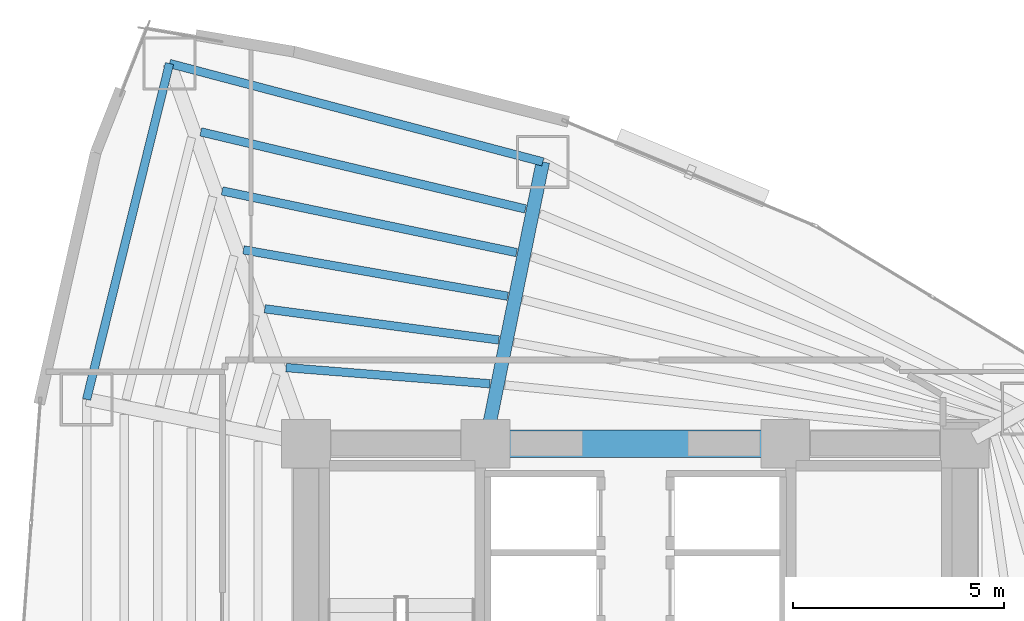
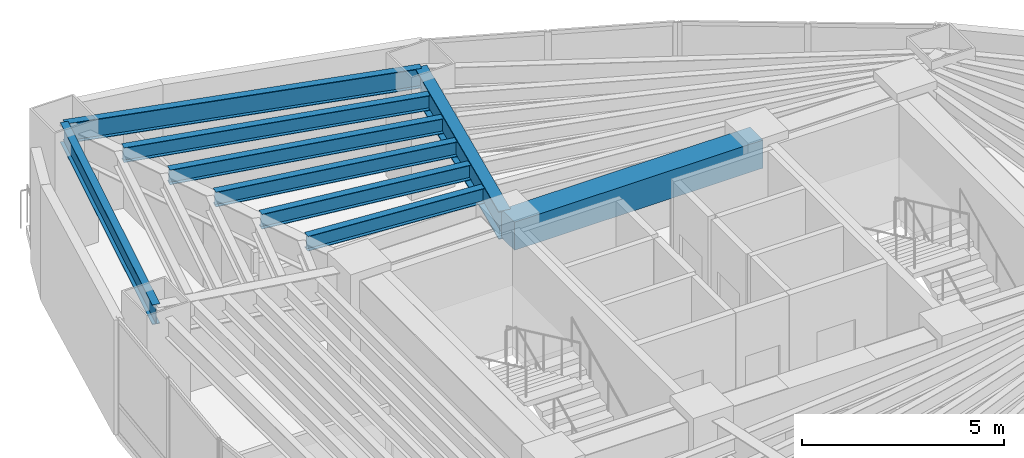
# One storey, part 8 of 16: 9 beams.
"""IFC4 building model written with IfcOpenShell, lengths in metres."""

import ifcopenshell
import ifcopenshell.guid

model = None  # the IFC model being written
_history = None  # IfcOwnerHistory: only IFC2X3 demands one
_inside = {}  # id of a spatial element -> (the spatial element, [elements in it])
_under = {}  # id of a project, library or spatial element -> (it, [spatial elements below it])
_declared = {}  # id of a project -> (the project, [libraries it declares])
_typed = {}  # id of a type object -> (the type object, [elements of that type])
_made_of = {}  # id of a material, layer set ... -> (it, [elements and type objects made of it])


def new_model(schema):
    """Start an empty IFC model of exactly this schema.

    Asked for "IFC4X3", IfcOpenShell would pick the latest addendum, in which some entities
    have other attributes; the version numbers below select the first issue.
    IFC2X3 requires an IfcOwnerHistory on every rooted entity: one is made here for all.
    """
    global model, _history
    if schema == "IFC4X3":
        model = ifcopenshell.file(schema_version=(4, 3, 0, 0))
    else:
        model = ifcopenshell.file(schema=schema)
    _inside.clear()
    _under.clear()
    _declared.clear()
    _typed.clear()
    _made_of.clear()
    _history = None
    if model.schema == "IFC2X3":
        org = make("IfcOrganization", Name="unknown")
        user = make(
            "IfcPersonAndOrganization",
            ThePerson=make("IfcPerson", FamilyName="unknown"),
            TheOrganization=org,
        )
        app = make(
            "IfcApplication",
            ApplicationDeveloper=org,
            Version="unknown",
            ApplicationFullName="unknown",
            ApplicationIdentifier="unknown",
        )
        _history = make(
            "IfcOwnerHistory",
            OwningUser=user,
            OwningApplication=app,
            ChangeAction="ADDED",
            CreationDate=0,
        )
    return model


def make(cls, **values):
    """One entity of the class cls with the attributes given. An attribute that is None is left unset."""
    return model.create_entity(
        cls, **{name: value for name, value in values.items() if value is not None}
    )


def rooted(cls, **values):
    """An entity with a GlobalId (a new one), such as an element, a storey or a relation."""
    return make(cls, GlobalId=ifcopenshell.guid.new(), OwnerHistory=_history, **values)


def si_unit(unit_type, name, prefix=None):
    """IfcSIUnit, for example si_unit("LENGTHUNIT", "METRE", prefix="MILLI")."""
    return make("IfcSIUnit", UnitType=unit_type, Prefix=prefix, Name=name)


def assignment(units):
    """IfcUnitAssignment: the units of a project."""
    return None if units is None else make("IfcUnitAssignment", Units=units)


def point(xyz):
    """IfcCartesianPoint."""
    return None if xyz is None else make("IfcCartesianPoint", Coordinates=xyz)


def direction(xyz):
    """IfcDirection."""
    return None if xyz is None else make("IfcDirection", DirectionRatios=xyz)


def frame(location, z_axis=None, x_axis=None):
    """IfcAxis2Placement3D, a coordinate frame: its origin and axes. An axis left out is left unset."""
    return make(
        "IfcAxis2Placement3D",
        Location=point(location),
        Axis=direction(z_axis),
        RefDirection=direction(x_axis),
    )


def frame_2d(location, x_axis=None):
    """IfcAxis2Placement2D, a coordinate frame in the plane: its origin and x axis."""
    return make(
        "IfcAxis2Placement2D", Location=point(location), RefDirection=direction(x_axis)
    )


def origin():
    """The frame at (0, 0, 0) with its axes left unset."""
    return frame((0.0, 0.0, 0.0))


def origin_2d():
    """The frame at (0, 0) in the plane with its x axis left unset."""
    return frame_2d((0.0, 0.0))


def place(relative_to, where):
    """IfcLocalPlacement: puts the frame where relative to a parent placement (None: the world)."""
    return make(
        "IfcLocalPlacement", PlacementRelTo=relative_to, RelativePlacement=where
    )


def context(
    kind, dimensions, precision=None, world=None, true_north=None, identifier=None
):
    """IfcGeometricRepresentationContext, for example the 3D "Model" context."""
    return make(
        "IfcGeometricRepresentationContext",
        ContextIdentifier=identifier,
        ContextType=kind,
        CoordinateSpaceDimension=dimensions,
        Precision=precision,
        WorldCoordinateSystem=world,
        TrueNorth=true_north,
    )


def subcontext(parent, identifier, kind, view, scale=None):
    """IfcGeometricRepresentationSubContext, for example "Body" below "Model"."""
    return make(
        "IfcGeometricRepresentationSubContext",
        ContextIdentifier=identifier,
        ContextType=kind,
        ParentContext=parent,
        TargetScale=scale,
        TargetView=view,
    )


def project(units=None, contexts=None):
    """IfcProject with its units and contexts."""
    return rooted(
        "IfcProject",
        Name="project",
        RepresentationContexts=contexts,
        UnitsInContext=assignment(units),
    )


def spatial(cls, under=None, at=None, **own):
    """A site, building, storey or space (cls), placed at a placement, below another one or the project."""
    s = rooted(cls, ObjectPlacement=at, **own)
    if under is not None:
        _under.setdefault(under.id(), (under, []))[1].append(s)
    return s


def profile(cls, at=None, kind="AREA", **sizes):
    """A parametric profile (cls). Its sizes go by their IFC names, for example OverallWidth=200.0."""
    return make(cls, ProfileType=kind, Position=at, **sizes)


def rectangle(**sizes):
    """IfcRectangleProfileDef."""
    return profile("IfcRectangleProfileDef", **sizes)


def i_section(**sizes):
    """IfcIShapeProfileDef."""
    return profile("IfcIShapeProfileDef", **sizes)


def extrude(swept, where, along, depth):
    """IfcExtrudedAreaSolid: the profile swept, set in the frame where, extruded along a direction by depth."""
    return make(
        "IfcExtrudedAreaSolid",
        SweptArea=swept,
        Position=where,
        ExtrudedDirection=direction(along),
        Depth=depth,
    )


def shape(context_of_items, identifier, shape_type, items):
    """IfcShapeRepresentation: the items that make up one representation, for example the "Body"."""
    return make(
        "IfcShapeRepresentation",
        ContextOfItems=context_of_items,
        RepresentationIdentifier=identifier,
        RepresentationType=shape_type,
        Items=items,
    )


def material(Name=None, Category=None):
    """IfcMaterial."""
    return make("IfcMaterial", Name=Name, Category=Category)


def material_profile(
    of_material, cross_section, Name=None, Category=None, Priority=None
):
    """IfcMaterialProfile: a cross section and its material."""
    return make(
        "IfcMaterialProfile",
        Name=Name,
        Material=of_material,
        Profile=cross_section,
        Priority=Priority,
        Category=Category,
    )


def profile_set(profiles, Name=None, composite=None):
    """IfcMaterialProfileSet."""
    return make(
        "IfcMaterialProfileSet",
        Name=Name,
        MaterialProfiles=profiles,
        CompositeProfile=composite,
    )


def made_of(thing, what):
    """Note that an element or type object is made of a material, layer set ...; save() writes the relation."""
    if what is not None:
        _made_of.setdefault(what.id(), (what, []))[1].append(thing)
    return thing


def type_object(cls, material=None, **own):
    """A type object (cls), such as IfcWallType, which elements share."""
    return made_of(rooted(cls, **own), material)


def element(
    cls,
    number,
    at=None,
    inside=None,
    cuts=None,
    type_object=None,
    material=None,
    context=None,
    identifier="Body",
    shape_type=None,
    held_by="IfcProductDefinitionShape",
    body=None,
    shapes=None,
    **own,
):
    """One element of the class cls, such as IfcWall. Its Tag is "e" and its number.

    at: its placement. inside: the storey or other place that contains it. cuts: it is an
    opening in that element (IfcRelVoidsElement). A single representation is given by context,
    identifier, shape_type and body (its items); several are given by shapes. held_by: the class
    of the entity that holds the representations. save() writes the other relations.
    """
    e = rooted(cls, Tag="e%d" % number, ObjectPlacement=at, **own)
    if body is not None:
        shapes = [shape(context, identifier, shape_type, body)]
    if shapes is not None:
        e.Representation = make(held_by, Representations=shapes)
    if inside is not None:
        _inside.setdefault(inside.id(), (inside, []))[1].append(e)
    if cuts is not None:
        rooted(
            "IfcRelVoidsElement", RelatingBuildingElement=cuts, RelatedOpeningElement=e
        )
    if type_object is not None:
        _typed.setdefault(type_object.id(), (type_object, []))[1].append(e)
    return made_of(e, material)


def aggregate(whole, parts):
    """IfcRelAggregates: a whole, such as a stair, and the parts it consists of."""
    return rooted("IfcRelAggregates", RelatingObject=whole, RelatedObjects=parts)


def save(model, path):
    """Write the relations noted so far, then the file.

    IfcRelAggregates (storeys below a building ...), IfcRelContainedInSpatialStructure (elements
    in a storey), IfcRelDefinesByType, IfcRelAssociatesMaterial and IfcRelDeclares: one each for
    every whole, place, type object, material and project.
    """
    for whole, parts in _under.values():
        aggregate(whole, parts)
    for where, things in _inside.values():
        rooted(
            "IfcRelContainedInSpatialStructure",
            RelatedElements=things,
            RelatingStructure=where,
        )
    for kind, things in _typed.values():
        rooted("IfcRelDefinesByType", RelatedObjects=things, RelatingType=kind)
    for what, things in _made_of.values():
        rooted("IfcRelAssociatesMaterial", RelatedObjects=things, RelatingMaterial=what)
    for by, libraries in _declared.values():
        rooted("IfcRelDeclares", RelatingContext=by, RelatedDefinitions=libraries)
    model.write(path)


model = new_model("IFC4")

# Units and contexts
model_context = context("Model", 3, precision=1e-05, world=origin(), true_north=direction((0.0, 1.0)))
body_context = subcontext(model_context, "Body", "Model", "MODEL_VIEW")
ifc_project = project(units=[si_unit("LENGTHUNIT", "METRE"), si_unit("AREAUNIT", "SQUARE_METRE"), si_unit("VOLUMEUNIT", "CUBIC_METRE"), si_unit("PLANEANGLEUNIT", "RADIAN"), si_unit("MASSUNIT", "GRAM", prefix="KILO")], contexts=[model_context])

# Site, building, storey
site_placement = place(None, origin())
site = spatial("IfcSite", under=ifc_project, at=site_placement, CompositionType="ELEMENT")
building_placement = place(site_placement, origin())
building = spatial("IfcBuilding", under=site, at=building_placement, Name="Menara Vayukalpa", CompositionType="ELEMENT")
storey_placement = place(building_placement, frame((0.0, 0.0, 75.9599609375)))
storey = spatial("IfcBuildingStorey", under=building, at=storey_placement, Name="L18", CompositionType="ELEMENT", Elevation=75.9599609375)

# Beams
ifc_material_1 = material(Name="Concrete C60/75", Category="concrete")
ifc_material_profile_1 = material_profile(ifc_material_1, rectangle(XDim=0.64990234375, YDim=0.85009765625, at=origin_2d()), Name="RC 650x850")
ifc_profile_set_1 = profile_set([ifc_material_profile_1], Name="Concrete C60/75")
beam_type_1 = type_object("IfcBeamType", Name="BM-CB1", PredefinedType="BEAM", material=ifc_profile_set_1)
beam_1_placement = place(storey_placement, frame((22.050048828125, 26.800048828125, 3.044921875), z_axis=(1.0, 0.0, 0.0), x_axis=(0.0, 1.0, 0.0)))
element("IfcBeam", 1, at=beam_1_placement, inside=storey, type_object=beam_type_1, Name="L18 Core Tie Beam CBR5", PredefinedType="BEAM", context=body_context, shape_type="SweptSolid", body=[
    extrude(rectangle(XDim=0.64990234375, YDim=0.85009765625, at=origin_2d()), origin(), (0.0, 0.0, 1.0), 7.099853515625),
])
ifc_material_2 = material(Name="Steel S355", Category="steel")
ifc_material_profile_2 = material_profile(ifc_material_2, i_section(OverallWidth=0.320068359375, OverallDepth=0.85009765625, WebThickness=0.01611328125, FlangeThickness=0.030029296875, at=origin_2d()), Name="WF 850x320x16x30")
ifc_profile_set_2 = profile_set([ifc_material_profile_2], Name="Steel S355")
beam_type_2 = type_object("IfcBeamType", Name="BM-PG2", PredefinedType="BEAM", material=ifc_profile_set_2)
beam_2_placement = place(storey_placement, frame((22.099853515625, 27.044921875, 3.044921875), z_axis=(0.199617728418, 0.9798738503, 0.0), x_axis=(-0.9798738503, 0.199617728418, 0.0)))
element("IfcBeam", 2, at=beam_2_placement, inside=storey, type_object=beam_type_2, Name="L18 Primary Radial Girder RG03", PredefinedType="BEAM", context=body_context, shape_type="SweptSolid", body=[
    extrude(i_section(OverallWidth=0.320068359375, OverallDepth=0.85009765625, WebThickness=0.01611328125, FlangeThickness=0.030029296875, at=origin_2d()), origin(), (0.0, 0.0, 1.0), 6.55419921875),
])
ifc_material_3 = material(Name="Steel S355", Category="steel")
ifc_material_profile_3 = material_profile(ifc_material_3, i_section(OverallWidth=0.199951171875, OverallDepth=0.449951171875, WebThickness=0.009033203125, FlangeThickness=0.013916015625, at=origin_2d()), Name="WF 450x200x9x14")
ifc_profile_set_3 = profile_set([ifc_material_profile_3], Name="Steel S355")
beam_type_3 = type_object("IfcBeamType", Name="BM-SJ1", PredefinedType="JOIST", material=ifc_profile_set_3)
beam_3_placement = place(storey_placement, frame((22.156005859375, 28.21533203125, 3.2451171875), z_axis=(-0.996870502758, 0.079051886326, 0.0), x_axis=(-0.079051886326, -0.996870502758, 0.0)))
element("IfcBeam", 3, at=beam_3_placement, inside=storey, type_object=beam_type_3, Name="L18 Secondary Floor Joist SJ03-1", PredefinedType="JOIST", context=body_context, shape_type="SweptSolid", body=[
    extrude(i_section(OverallWidth=0.199951171875, OverallDepth=0.449951171875, WebThickness=0.009033203125, FlangeThickness=0.013916015625, at=origin_2d()), origin(), (0.0, 0.0, 1.0), 4.842529296875),
])
beam_4_placement = place(storey_placement, frame((22.3662109375, 29.25244140625, 3.2451171875), z_axis=(-0.991248863782, 0.132006401551, 0.0), x_axis=(-0.132006401551, -0.991248863782, 0.0)))
element("IfcBeam", 4, at=beam_4_placement, inside=storey, type_object=beam_type_3, Name="L18 Secondary Floor Joist SJ03-2", PredefinedType="JOIST", context=body_context, shape_type="SweptSolid", body=[
    extrude(i_section(OverallWidth=0.199951171875, OverallDepth=0.449951171875, WebThickness=0.009033203125, FlangeThickness=0.013916015625, at=origin_2d()), origin(), (0.0, 0.0, 1.0), 5.5908203125),
])
beam_5_placement = place(storey_placement, frame((22.576904296875, 30.287353515625, 3.2451171875), z_axis=(-0.984953696719, 0.172818446123, 0.0), x_axis=(-0.172818446123, -0.984953696719, 0.0)))
element("IfcBeam", 5, at=beam_5_placement, inside=storey, type_object=beam_type_3, Name="L18 Secondary Floor Joist SJ03-3", PredefinedType="JOIST", context=body_context, shape_type="SweptSolid", body=[
    extrude(i_section(OverallWidth=0.199951171875, OverallDepth=0.449951171875, WebThickness=0.009033203125, FlangeThickness=0.013916015625, at=origin_2d()), origin(), (0.0, 0.0, 1.0), 6.35302734375),
])
beam_6_placement = place(storey_placement, frame((22.787109375, 31.32080078125, 3.2451171875), z_axis=(-0.978749690575, 0.205058633565, 0.0), x_axis=(-0.205058633565, -0.978749690575, 0.0)))
element("IfcBeam", 6, at=beam_6_placement, inside=storey, type_object=beam_type_3, Name="L18 Secondary Floor Joist SJ03-4", PredefinedType="JOIST", context=body_context, shape_type="SweptSolid", body=[
    extrude(i_section(OverallWidth=0.199951171875, OverallDepth=0.449951171875, WebThickness=0.009033203125, FlangeThickness=0.013916015625, at=origin_2d()), origin(), (0.0, 0.0, 1.0), 7.123291015625),
])
beam_7_placement = place(storey_placement, frame((22.99755859375, 32.35302734375, 3.2451171875), z_axis=(-0.97293602969, 0.231074624596, 0.0), x_axis=(-0.231074624596, -0.97293602969, 0.0)))
element("IfcBeam", 7, at=beam_7_placement, inside=storey, type_object=beam_type_3, Name="L18 Secondary Floor Joist SJ03-5", PredefinedType="JOIST", context=body_context, shape_type="SweptSolid", body=[
    extrude(i_section(OverallWidth=0.199951171875, OverallDepth=0.449951171875, WebThickness=0.009033203125, FlangeThickness=0.013916015625, at=origin_2d()), origin(), (0.0, 0.0, 1.0), 7.90087890625),
])
ifc_material_4 = material(Name="Steel S355", Category="steel")
ifc_material_profile_4 = material_profile(ifc_material_4, i_section(OverallWidth=0.199951171875, OverallDepth=0.60009765625, WebThickness=0.010986328125, FlangeThickness=0.01708984375, at=origin_2d()), Name="WF 600x200x11x17")
ifc_profile_set_4 = profile_set([ifc_material_profile_4], Name="Steel S355")
beam_type_4 = type_object("IfcBeamType", Name="BM-SP1", PredefinedType="SPANDREL", material=ifc_profile_set_4)
beam_8_placement = place(storey_placement, frame((23.408203125, 33.46728515625, 3.169921875), z_axis=(-0.966966857313, 0.254902131921, 0.0), x_axis=(-0.254902131921, -0.966966857313, 0.0)))
element("IfcBeam", 8, at=beam_8_placement, inside=storey, type_object=beam_type_4, Name="L18 Perimeter Spandrel Beam SP03", PredefinedType="SPANDREL", context=body_context, shape_type="SweptSolid", body=[
    extrude(i_section(OverallWidth=0.199951171875, OverallDepth=0.60009765625, WebThickness=0.010986328125, FlangeThickness=0.01708984375, at=origin_2d()), origin(), (0.0, 0.0, 1.0), 9.14111328125),
])
beam_9_placement = place(storey_placement, frame((14.569091796875, 35.79736328125, 3.169921875), z_axis=(-0.239602739234, -0.970871014786, 0.0), x_axis=(0.970871014786, -0.239602739234, 0.0)))
element("IfcBeam", 9, at=beam_9_placement, inside=storey, type_object=beam_type_4, Name="L18 Perimeter Spandrel Beam SP04", PredefinedType="SPANDREL", context=body_context, shape_type="SweptSolid", body=[
    extrude(i_section(OverallWidth=0.199951171875, OverallDepth=0.60009765625, WebThickness=0.010986328125, FlangeThickness=0.01708984375, at=origin_2d()), origin(), (0.0, 0.0, 1.0), 8.190185546875),
])

save(model, "model.ifc")
